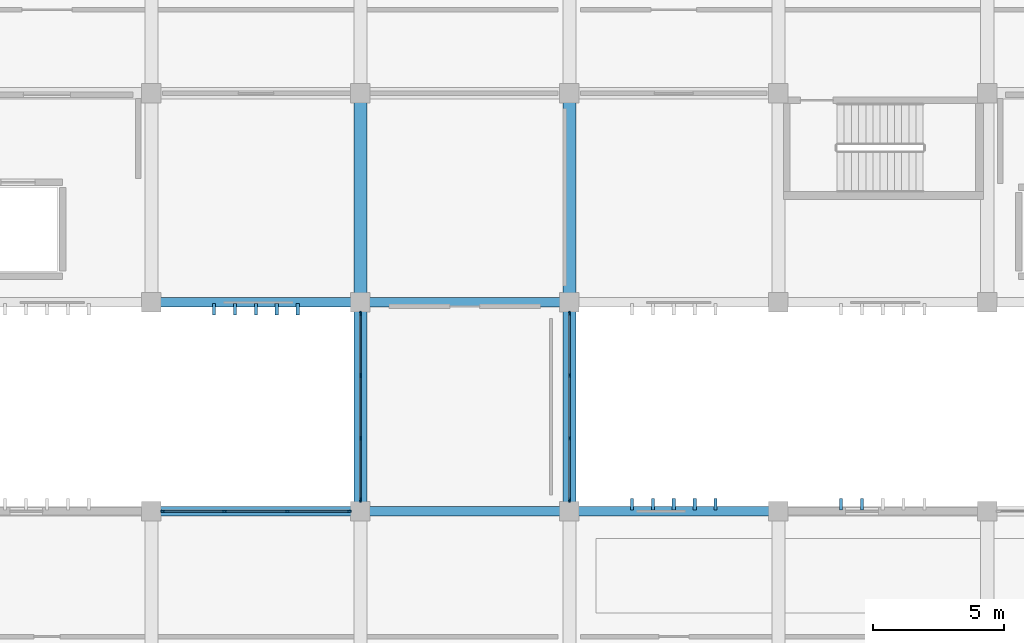
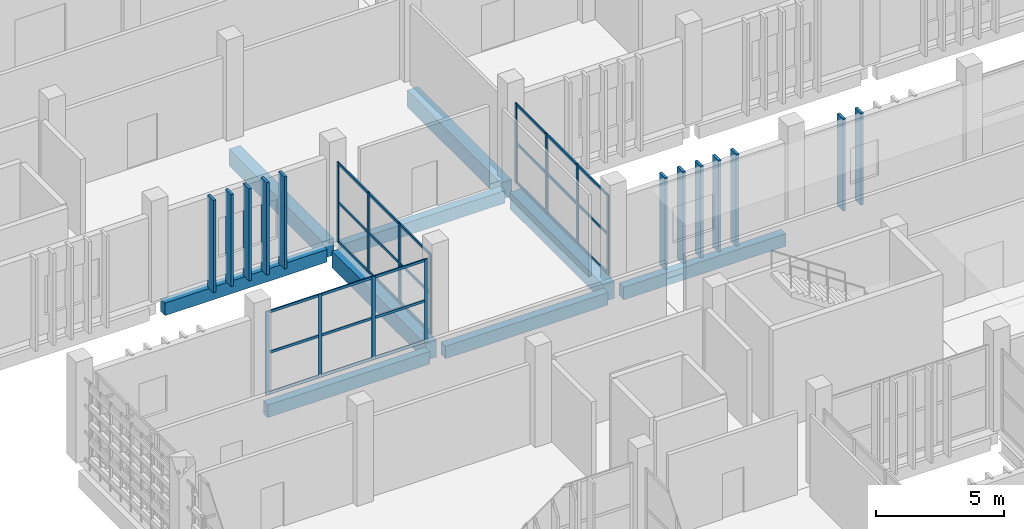
# One storey, part 64 of 117: 51 members, 9 beams, 3 elements without a shape of their own.
"""IFC4 building model written with IfcOpenShell, lengths in metres."""

from ifc_helpers import new_model, si_unit, direction, frame, origin, origin_2d, place, context, subcontext, project, spatial, rectangle, extrude, material, layer, layer_set, material_profile, profile_set, type_object, element, aggregate, save


model = new_model("IFC4")

# Units and contexts
model_context = context("Model", 3, precision=1e-05, world=origin(), true_north=direction((0.0, 1.0)))
body_context = subcontext(model_context, "Body", "Model", "MODEL_VIEW")
ifc_project = project(units=[si_unit("LENGTHUNIT", "METRE"), si_unit("AREAUNIT", "SQUARE_METRE"), si_unit("VOLUMEUNIT", "CUBIC_METRE"), si_unit("PLANEANGLEUNIT", "RADIAN"), si_unit("MASSUNIT", "GRAM", prefix="KILO")], contexts=[model_context])

# Site, building, storey
site_placement = place(None, origin())
site = spatial("IfcSite", under=ifc_project, at=site_placement, CompositionType="ELEMENT")
building_placement = place(site_placement, origin())
building = spatial("IfcBuilding", under=site, at=building_placement, Name="Jelvoka-Kovrelna Polytechnic", CompositionType="ELEMENT")
storey_placement = place(building_placement, origin())
storey = spatial("IfcBuildingStorey", under=building, at=storey_placement, Name="L01", CompositionType="ELEMENT", Elevation=0.0)

# Beams
ifc_material_1 = material(Name="Concrete C40/50", Category="concrete")
ifc_material_profile_1 = material_profile(ifc_material_1, rectangle(XDim=0.5, YDim=0.800048828125, at=origin_2d()), Name="RC 500x800")
ifc_profile_set_1 = profile_set([ifc_material_profile_1], Name="Concrete C40/50")
beam_type_1 = type_object("IfcBeamType", Name="Beam_RC_500x800", PredefinedType="BEAM", material=ifc_profile_set_1)
for number, where, z_axis, x_axis, name in (
    (1, (144.0, 56.35498046875, -0.804931640625), (0.0, 1.0, 0.0), (-1.0, 0.0, 0.0), "L01 beam 0509"),
    (2, (152.0, 56.35498046875, -0.804931640625), (0.0, 1.0, 0.0), (-1.0, 0.0, 0.0), "L01 beam 0511"),
    (3, (144.0, 48.35498046875, -0.804931640625), (0.0, 1.0, 0.0), (-1.0, 0.0, 0.0), "L01 beam 0544"),
    (4, (152.0, 48.35498046875, -0.804931640625), (0.0, 1.0, 0.0), (-1.0, 0.0, 0.0), "L01 beam 0545"),
):
    element("IfcBeam", number, at=place(storey_placement, frame(where, z_axis=z_axis, x_axis=x_axis)), inside=storey, type_object=beam_type_1, Name=name, PredefinedType="BEAM", context=body_context, shape_type="SweptSolid", body=[
        extrude(rectangle(XDim=0.5, YDim=0.800048828125, at=origin_2d()), origin(), (0.0, 0.0, 1.0), 7.2900390625),
    ])

# Members
ifc_material_2 = material(Name="Precast concrete C40/50", Category="concrete")
ifc_material_profile_2 = material_profile(ifc_material_2, rectangle(XDim=0.1201171875, YDim=0.449951171875, at=origin_2d()), Name="PC 120x450")
ifc_profile_set_2 = profile_set([ifc_material_profile_2], Name="Precast concrete C40/50")
member_type_1 = type_object("IfcMemberType", Name="Louvre_Fin_120x450", PredefinedType="USERDEFINED", material=ifc_profile_set_2)
for number, where, z_axis, x_axis, name in (
    (5, (154.39990234375, 48.264892578125, -0.419921875), (0.0, 0.0, 1.0), (1.0, 0.0, 0.0), "L01 B2E north vertical solar louvre fin 0886"),
    (6, (155.199951171875, 48.264892578125, -0.419921875), (0.0, 0.0, 1.0), (1.0, 0.0, 0.0), "L01 B2E north vertical solar louvre fin 0887"),
    (7, (156.0, 48.264892578125, -0.419921875), (0.0, 0.0, 1.0), (1.0, 0.0, 0.0), "L01 B2E north vertical solar louvre fin 0888"),
    (8, (156.800048828125, 48.264892578125, -0.419921875), (0.0, 0.0, 1.0), (1.0, 0.0, 0.0), "L01 B2E north vertical solar louvre fin 0889"),
    (9, (157.60009765625, 48.264892578125, -0.419921875), (0.0, 0.0, 1.0), (1.0, 0.0, 0.0), "L01 B2E north vertical solar louvre fin 0890"),
    (10, (162.39990234375, 48.264892578125, -0.419921875), (0.0, 0.0, 1.0), (1.0, 0.0, 0.0), "L01 B2E north vertical solar louvre fin 0891"),
    (11, (163.199951171875, 48.264892578125, -0.419921875), (0.0, 0.0, 1.0), (1.0, 0.0, 0.0), "L01 B2E north vertical solar louvre fin 0892"),
    (12, (138.39990234375, 55.735107421875, -0.419921875), (0.0, 0.0, 1.0), (1.0, 0.0, 0.0), "L01 B3 south vertical solar louvre fin 1271"),
    (13, (139.199951171875, 55.735107421875, -0.419921875), (0.0, 0.0, 1.0), (1.0, 0.0, 0.0), "L01 B3 south vertical solar louvre fin 1272"),
    (14, (140.0, 55.735107421875, -0.419921875), (0.0, 0.0, 1.0), (1.0, 0.0, 0.0), "L01 B3 south vertical solar louvre fin 1273"),
    (15, (140.800048828125, 55.735107421875, -0.419921875), (0.0, 0.0, 1.0), (1.0, 0.0, 0.0), "L01 B3 south vertical solar louvre fin 1274"),
    (16, (141.60009765625, 55.735107421875, -0.419921875), (0.0, 0.0, 1.0), (1.0, 0.0, 0.0), "L01 B3 south vertical solar louvre fin 1275"),
):
    element("IfcMember", number, at=place(storey_placement, frame(where, z_axis=z_axis, x_axis=x_axis)), inside=storey, type_object=member_type_1, Name=name, ObjectType="SUNSHADE", PredefinedType="USERDEFINED", context=body_context, shape_type="SweptSolid", body=[
        extrude(rectangle(XDim=0.1201171875, YDim=0.449951171875, at=origin_2d()), origin(), (0.0, 0.0, 1.0), 4.3798828125),
    ])

# Curtain wall, members
ifc_material_3 = material(Name="Anodised aluminium 6063-T6", Category="aluminium")
ifc_layer_1 = layer(ifc_material_3, 0.159912109375)
ifc_layer_set_1 = layer_set([ifc_layer_1], Name="Anodised aluminium 6063-T6")
curtain_wall_type_1 = type_object("IfcCurtainWallType", Name="CW_Recessed_A", PredefinedType="NOTDEFINED", material=ifc_layer_set_1)
curtain_wall_1_placement = place(storey_placement, origin())
curtain_wall_1 = element("IfcCurtainWall", 17, at=curtain_wall_1_placement, inside=storey, type_object=curtain_wall_type_1, Name="L01 glazed curtain wall 039", PredefinedType="NOTDEFINED")
ifc_material_4 = material(Name="Anodised aluminium 6063-T6", Category="aluminium")
ifc_material_profile_3 = material_profile(ifc_material_4, rectangle(XDim=0.06005859375, YDim=0.159912109375, at=origin_2d()), Name="ALU 60x160")
ifc_profile_set_3 = profile_set([ifc_material_profile_3], Name="Anodised aluminium 6063-T6")
member_type_2 = type_object("IfcMemberType", Name="Mullion_M-01", PredefinedType="MULLION", material=ifc_profile_set_3)
member_1_placement = place(storey_placement, frame((136.429931640625, 48.0, -0.02490234375), z_axis=(0.0, 0.0, 1.0), x_axis=(0.0, 1.0, 0.0)))
member_1 = element("IfcMember", 18, at=member_1_placement, type_object=member_type_2, Name="CW-01 mullion 1", PredefinedType="MULLION", context=body_context, shape_type="SweptSolid", body=[
    extrude(rectangle(XDim=0.06005859375, YDim=0.159912109375, at=origin_2d()), origin(), (0.0, 0.0, 1.0), 3.9599609375),
])
member_2_placement = place(storey_placement, frame((138.800048828125, 48.0, -0.02490234375), z_axis=(0.0, 0.0, 1.0), x_axis=(0.0, 1.0, 0.0)))
member_2 = element("IfcMember", 19, at=member_2_placement, type_object=member_type_2, Name="CW-01 mullion 2", PredefinedType="MULLION", context=body_context, shape_type="SweptSolid", body=[
    extrude(rectangle(XDim=0.06005859375, YDim=0.159912109375, at=origin_2d()), origin(), (0.0, 0.0, 1.0), 3.9599609375),
])
member_3_placement = place(storey_placement, frame((141.199951171875, 48.0, -0.02490234375), z_axis=(0.0, 0.0, 1.0), x_axis=(0.0, 1.0, 0.0)))
member_3 = element("IfcMember", 20, at=member_3_placement, type_object=member_type_2, Name="CW-01 mullion 3", PredefinedType="MULLION", context=body_context, shape_type="SweptSolid", body=[
    extrude(rectangle(XDim=0.06005859375, YDim=0.159912109375, at=origin_2d()), origin(), (0.0, 0.0, 1.0), 3.9599609375),
])
member_4_placement = place(storey_placement, frame((143.570068359375, 48.0, -0.02490234375), z_axis=(0.0, 0.0, 1.0), x_axis=(0.0, 1.0, 0.0)))
member_4 = element("IfcMember", 21, at=member_4_placement, type_object=member_type_2, Name="CW-01 mullion 4", PredefinedType="MULLION", context=body_context, shape_type="SweptSolid", body=[
    extrude(rectangle(XDim=0.06005859375, YDim=0.159912109375, at=origin_2d()), origin(), (0.0, 0.0, 1.0), 3.9599609375),
])

ifc_material_5 = material(Name="Anodised aluminium 6063-T6", Category="aluminium")
ifc_layer_2 = layer(ifc_material_5, 0.159912109375)
ifc_layer_set_2 = layer_set([ifc_layer_2], Name="Anodised aluminium 6063-T6")
curtain_wall_type_2 = type_object("IfcCurtainWallType", Name="CW_LinkBridge", PredefinedType="NOTDEFINED", material=ifc_layer_set_2)
curtain_wall_2_placement = place(storey_placement, origin())
curtain_wall_2 = element("IfcCurtainWall", 22, at=curtain_wall_2_placement, inside=storey, type_object=curtain_wall_type_2, Name="L01 glazed curtain wall 100", PredefinedType="NOTDEFINED")
ifc_material_6 = material(Name="Anodised aluminium 6063-T6", Category="aluminium")
ifc_material_profile_4 = material_profile(ifc_material_6, rectangle(XDim=0.06005859375, YDim=0.159912109375, at=origin_2d()), Name="ALU 60x160")
ifc_profile_set_4 = profile_set([ifc_material_profile_4], Name="Anodised aluminium 6063-T6")
member_type_3 = type_object("IfcMemberType", Name="Mullion_M-04", PredefinedType="MULLION", material=ifc_profile_set_4)
member_5_placement = place(storey_placement, frame((144.0, 48.429931640625, -0.02490234375), z_axis=(0.0, 0.0, 1.0), x_axis=(-1.0, 0.0, 0.0)))
member_5 = element("IfcMember", 23, at=member_5_placement, type_object=member_type_3, Name="CW-04 mullion 1", PredefinedType="MULLION", context=body_context, shape_type="SweptSolid", body=[
    extrude(rectangle(XDim=0.06005859375, YDim=0.159912109375, at=origin_2d()), origin(), (0.0, 0.0, 1.0), 3.81005859375),
])
member_6_placement = place(storey_placement, frame((144.0, 50.800048828125, -0.02490234375), z_axis=(0.0, 0.0, 1.0), x_axis=(-1.0, 0.0, 0.0)))
member_6 = element("IfcMember", 24, at=member_6_placement, type_object=member_type_3, Name="CW-04 mullion 2", PredefinedType="MULLION", context=body_context, shape_type="SweptSolid", body=[
    extrude(rectangle(XDim=0.06005859375, YDim=0.159912109375, at=origin_2d()), origin(), (0.0, 0.0, 1.0), 3.81005859375),
])
member_7_placement = place(storey_placement, frame((144.0, 53.199951171875, -0.02490234375), z_axis=(0.0, 0.0, 1.0), x_axis=(-1.0, 0.0, 0.0)))
member_7 = element("IfcMember", 25, at=member_7_placement, type_object=member_type_3, Name="CW-04 mullion 3", PredefinedType="MULLION", context=body_context, shape_type="SweptSolid", body=[
    extrude(rectangle(XDim=0.06005859375, YDim=0.159912109375, at=origin_2d()), origin(), (0.0, 0.0, 1.0), 3.81005859375),
])
member_8_placement = place(storey_placement, frame((144.0, 55.570068359375, -0.02490234375), z_axis=(0.0, 0.0, 1.0), x_axis=(-1.0, 0.0, 0.0)))
member_8 = element("IfcMember", 26, at=member_8_placement, type_object=member_type_3, Name="CW-04 mullion 4", PredefinedType="MULLION", context=body_context, shape_type="SweptSolid", body=[
    extrude(rectangle(XDim=0.06005859375, YDim=0.159912109375, at=origin_2d()), origin(), (0.0, 0.0, 1.0), 3.81005859375),
])

curtain_wall_3_placement = place(storey_placement, origin())
curtain_wall_3 = element("IfcCurtainWall", 27, at=curtain_wall_3_placement, inside=storey, type_object=curtain_wall_type_2, Name="L01 glazed curtain wall 101", PredefinedType="NOTDEFINED")
member_9_placement = place(storey_placement, frame((152.0, 55.570068359375, -0.02490234375), z_axis=(0.0, 0.0, 1.0), x_axis=(1.0, 0.0, 0.0)))
member_9 = element("IfcMember", 28, at=member_9_placement, type_object=member_type_3, Name="CW-04 mullion 1", PredefinedType="MULLION", context=body_context, shape_type="SweptSolid", body=[
    extrude(rectangle(XDim=0.06005859375, YDim=0.159912109375, at=origin_2d()), origin(), (0.0, 0.0, 1.0), 3.81005859375),
])
member_10_placement = place(storey_placement, frame((152.0, 53.199951171875, -0.02490234375), z_axis=(0.0, 0.0, 1.0), x_axis=(1.0, 0.0, 0.0)))
member_10 = element("IfcMember", 29, at=member_10_placement, type_object=member_type_3, Name="CW-04 mullion 2", PredefinedType="MULLION", context=body_context, shape_type="SweptSolid", body=[
    extrude(rectangle(XDim=0.06005859375, YDim=0.159912109375, at=origin_2d()), origin(), (0.0, 0.0, 1.0), 3.81005859375),
])
member_11_placement = place(storey_placement, frame((152.0, 50.800048828125, -0.02490234375), z_axis=(0.0, 0.0, 1.0), x_axis=(1.0, 0.0, 0.0)))
member_11 = element("IfcMember", 30, at=member_11_placement, type_object=member_type_3, Name="CW-04 mullion 3", PredefinedType="MULLION", context=body_context, shape_type="SweptSolid", body=[
    extrude(rectangle(XDim=0.06005859375, YDim=0.159912109375, at=origin_2d()), origin(), (0.0, 0.0, 1.0), 3.81005859375),
])
member_12_placement = place(storey_placement, frame((152.0, 48.429931640625, -0.02490234375), z_axis=(0.0, 0.0, 1.0), x_axis=(1.0, 0.0, 0.0)))
member_12 = element("IfcMember", 31, at=member_12_placement, type_object=member_type_3, Name="CW-04 mullion 4", PredefinedType="MULLION", context=body_context, shape_type="SweptSolid", body=[
    extrude(rectangle(XDim=0.06005859375, YDim=0.159912109375, at=origin_2d()), origin(), (0.0, 0.0, 1.0), 3.81005859375),
])

# Beams
ifc_material_7 = material(Name="Concrete C40/50", Category="concrete")
ifc_material_profile_5 = material_profile(ifc_material_7, rectangle(XDim=0.35009765625, YDim=0.60009765625, at=origin_2d()), Name="RC 350x600")
ifc_profile_set_5 = profile_set([ifc_material_profile_5], Name="Concrete C40/50")
beam_type_2 = type_object("IfcBeamType", Name="Spandrel_RC_350x600", PredefinedType="SPANDREL", material=ifc_profile_set_5)
for number, where, z_axis, x_axis, name in (
    (32, (136.35498046875, 48.0, -0.705078125), (1.0, 0.0, 0.0), (0.0, 1.0, 0.0), "L01 beam 0415"),
    (33, (144.35498046875, 48.0, -0.705078125), (1.0, 0.0, 0.0), (0.0, 1.0, 0.0), "L01 beam 0416"),
    (34, (152.35498046875, 48.0, -0.705078125), (1.0, 0.0, 0.0), (0.0, 1.0, 0.0), "L01 beam 0417"),
    (35, (136.35498046875, 56.0, -0.705078125), (1.0, 0.0, 0.0), (0.0, 1.0, 0.0), "L01 beam 0478"),
    (36, (144.35498046875, 56.0, -0.705078125), (1.0, 0.0, 0.0), (0.0, 1.0, 0.0), "L01 beam 0479"),
):
    element("IfcBeam", number, at=place(storey_placement, frame(where, z_axis=z_axis, x_axis=x_axis)), inside=storey, type_object=beam_type_2, Name=name, PredefinedType="SPANDREL", context=body_context, shape_type="SweptSolid", body=[
        extrude(rectangle(XDim=0.35009765625, YDim=0.60009765625, at=origin_2d()), origin(), (0.0, 0.0, 1.0), 7.2900390625),
    ])

# Member
ifc_material_8 = material(Name="Anodised aluminium 6063-T6", Category="aluminium")
ifc_material_profile_6 = material_profile(ifc_material_8, rectangle(XDim=0.06005859375, YDim=0.1201171875, at=origin_2d()), Name="ALU 60x120")
ifc_profile_set_6 = profile_set([ifc_material_profile_6], Name="Anodised aluminium 6063-T6")
member_type_4 = type_object("IfcMemberType", Name="Transom_T-01", PredefinedType="USERDEFINED", material=ifc_profile_set_6)
member_13_placement = place(storey_placement, frame((136.4599609375, 48.0, 0.030029296875), z_axis=(1.0, 0.0, 0.0), x_axis=(0.0, 1.0, 0.0)))
member_13 = element("IfcMember", 37, at=member_13_placement, type_object=member_type_4, Name="CW-01 transom 1.1", ObjectType="TRANSOM", PredefinedType="USERDEFINED", context=body_context, shape_type="SweptSolid", body=[
    extrude(rectangle(XDim=0.06005859375, YDim=0.1201171875, at=origin_2d()), origin(), (0.0, 0.0, 1.0), 2.31005859375),
])

member_14_placement = place(storey_placement, frame((136.4599609375, 48.0, 1.955078125), z_axis=(1.0, 0.0, 0.0), x_axis=(0.0, 1.0, 0.0)))
member_14 = element("IfcMember", 38, at=member_14_placement, type_object=member_type_4, Name="CW-01 transom 1.2", ObjectType="TRANSOM", PredefinedType="USERDEFINED", context=body_context, shape_type="SweptSolid", body=[
    extrude(rectangle(XDim=0.06005859375, YDim=0.1201171875, at=origin_2d()), origin(), (0.0, 0.0, 1.0), 2.31005859375),
])

member_15_placement = place(storey_placement, frame((136.4599609375, 48.0, 3.8798828125), z_axis=(1.0, 0.0, 0.0), x_axis=(0.0, 1.0, 0.0)))
member_15 = element("IfcMember", 39, at=member_15_placement, type_object=member_type_4, Name="CW-01 transom 1.3", ObjectType="TRANSOM", PredefinedType="USERDEFINED", context=body_context, shape_type="SweptSolid", body=[
    extrude(rectangle(XDim=0.06005859375, YDim=0.1201171875, at=origin_2d()), origin(), (0.0, 0.0, 1.0), 2.31005859375),
])

member_16_placement = place(storey_placement, frame((138.830078125, 48.0, 0.030029296875), z_axis=(1.0, 0.0, 0.0), x_axis=(0.0, 1.0, 0.0)))
member_16 = element("IfcMember", 40, at=member_16_placement, type_object=member_type_4, Name="CW-01 transom 2.1", ObjectType="TRANSOM", PredefinedType="USERDEFINED", context=body_context, shape_type="SweptSolid", body=[
    extrude(rectangle(XDim=0.06005859375, YDim=0.1201171875, at=origin_2d()), origin(), (0.0, 0.0, 1.0), 2.33984375),
])

member_17_placement = place(storey_placement, frame((138.830078125, 48.0, 1.955078125), z_axis=(1.0, 0.0, 0.0), x_axis=(0.0, 1.0, 0.0)))
member_17 = element("IfcMember", 41, at=member_17_placement, type_object=member_type_4, Name="CW-01 transom 2.2", ObjectType="TRANSOM", PredefinedType="USERDEFINED", context=body_context, shape_type="SweptSolid", body=[
    extrude(rectangle(XDim=0.06005859375, YDim=0.1201171875, at=origin_2d()), origin(), (0.0, 0.0, 1.0), 2.33984375),
])

member_18_placement = place(storey_placement, frame((138.830078125, 48.0, 3.8798828125), z_axis=(1.0, 0.0, 0.0), x_axis=(0.0, 1.0, 0.0)))
member_18 = element("IfcMember", 42, at=member_18_placement, type_object=member_type_4, Name="CW-01 transom 2.3", ObjectType="TRANSOM", PredefinedType="USERDEFINED", context=body_context, shape_type="SweptSolid", body=[
    extrude(rectangle(XDim=0.06005859375, YDim=0.1201171875, at=origin_2d()), origin(), (0.0, 0.0, 1.0), 2.33984375),
])

member_19_placement = place(storey_placement, frame((141.22998046875, 48.0, 0.030029296875), z_axis=(1.0, 0.0, 0.0), x_axis=(0.0, 1.0, 0.0)))
member_19 = element("IfcMember", 43, at=member_19_placement, type_object=member_type_4, Name="CW-01 transom 3.1", ObjectType="TRANSOM", PredefinedType="USERDEFINED", context=body_context, shape_type="SweptSolid", body=[
    extrude(rectangle(XDim=0.06005859375, YDim=0.1201171875, at=origin_2d()), origin(), (0.0, 0.0, 1.0), 2.31005859375),
])

member_20_placement = place(storey_placement, frame((141.22998046875, 48.0, 1.955078125), z_axis=(1.0, 0.0, 0.0), x_axis=(0.0, 1.0, 0.0)))
member_20 = element("IfcMember", 44, at=member_20_placement, type_object=member_type_4, Name="CW-01 transom 3.2", ObjectType="TRANSOM", PredefinedType="USERDEFINED", context=body_context, shape_type="SweptSolid", body=[
    extrude(rectangle(XDim=0.06005859375, YDim=0.1201171875, at=origin_2d()), origin(), (0.0, 0.0, 1.0), 2.31005859375),
])

member_21_placement = place(storey_placement, frame((141.22998046875, 48.0, 3.8798828125), z_axis=(1.0, 0.0, 0.0), x_axis=(0.0, 1.0, 0.0)))
member_21 = element("IfcMember", 45, at=member_21_placement, type_object=member_type_4, Name="CW-01 transom 3.3", ObjectType="TRANSOM", PredefinedType="USERDEFINED", context=body_context, shape_type="SweptSolid", body=[
    extrude(rectangle(XDim=0.06005859375, YDim=0.1201171875, at=origin_2d()), origin(), (0.0, 0.0, 1.0), 2.31005859375),
])

aggregate(curtain_wall_1, [member_1, member_2, member_3, member_4, member_13, member_14, member_15, member_16, member_17, member_18, member_19, member_20, member_21])

ifc_material_9 = material(Name="Anodised aluminium 6063-T6", Category="aluminium")
ifc_material_profile_7 = material_profile(ifc_material_9, rectangle(XDim=0.06005859375, YDim=0.1201171875, at=origin_2d()), Name="ALU 60x120")
ifc_profile_set_7 = profile_set([ifc_material_profile_7], Name="Anodised aluminium 6063-T6")
member_type_5 = type_object("IfcMemberType", Name="Transom_T-04", PredefinedType="USERDEFINED", material=ifc_profile_set_7)
member_22_placement = place(storey_placement, frame((144.0, 48.4599609375, 0.030029296875), z_axis=(0.0, 1.0, 0.0), x_axis=(-1.0, 0.0, 0.0)))
member_22 = element("IfcMember", 46, at=member_22_placement, type_object=member_type_5, Name="CW-04 transom 1.1", ObjectType="TRANSOM", PredefinedType="USERDEFINED", context=body_context, shape_type="SweptSolid", body=[
    extrude(rectangle(XDim=0.06005859375, YDim=0.1201171875, at=origin_2d()), origin(), (0.0, 0.0, 1.0), 2.31005859375),
])

member_23_placement = place(storey_placement, frame((144.0, 48.4599609375, 1.8798828125), z_axis=(0.0, 1.0, 0.0), x_axis=(-1.0, 0.0, 0.0)))
member_23 = element("IfcMember", 47, at=member_23_placement, type_object=member_type_5, Name="CW-04 transom 1.2", ObjectType="TRANSOM", PredefinedType="USERDEFINED", context=body_context, shape_type="SweptSolid", body=[
    extrude(rectangle(XDim=0.06005859375, YDim=0.1201171875, at=origin_2d()), origin(), (0.0, 0.0, 1.0), 2.31005859375),
])

member_24_placement = place(storey_placement, frame((144.0, 48.4599609375, 3.72998046875), z_axis=(0.0, 1.0, 0.0), x_axis=(-1.0, 0.0, 0.0)))
member_24 = element("IfcMember", 48, at=member_24_placement, type_object=member_type_5, Name="CW-04 transom 1.3", ObjectType="TRANSOM", PredefinedType="USERDEFINED", context=body_context, shape_type="SweptSolid", body=[
    extrude(rectangle(XDim=0.06005859375, YDim=0.1201171875, at=origin_2d()), origin(), (0.0, 0.0, 1.0), 2.31005859375),
])

member_25_placement = place(storey_placement, frame((144.0, 50.830078125, 0.030029296875), z_axis=(0.0, 1.0, 0.0), x_axis=(-1.0, 0.0, 0.0)))
member_25 = element("IfcMember", 49, at=member_25_placement, type_object=member_type_5, Name="CW-04 transom 2.1", ObjectType="TRANSOM", PredefinedType="USERDEFINED", context=body_context, shape_type="SweptSolid", body=[
    extrude(rectangle(XDim=0.06005859375, YDim=0.1201171875, at=origin_2d()), origin(), (0.0, 0.0, 1.0), 2.33984375),
])

member_26_placement = place(storey_placement, frame((144.0, 50.830078125, 1.8798828125), z_axis=(0.0, 1.0, 0.0), x_axis=(-1.0, 0.0, 0.0)))
member_26 = element("IfcMember", 50, at=member_26_placement, type_object=member_type_5, Name="CW-04 transom 2.2", ObjectType="TRANSOM", PredefinedType="USERDEFINED", context=body_context, shape_type="SweptSolid", body=[
    extrude(rectangle(XDim=0.06005859375, YDim=0.1201171875, at=origin_2d()), origin(), (0.0, 0.0, 1.0), 2.33984375),
])

member_27_placement = place(storey_placement, frame((144.0, 50.830078125, 3.72998046875), z_axis=(0.0, 1.0, 0.0), x_axis=(-1.0, 0.0, 0.0)))
member_27 = element("IfcMember", 51, at=member_27_placement, type_object=member_type_5, Name="CW-04 transom 2.3", ObjectType="TRANSOM", PredefinedType="USERDEFINED", context=body_context, shape_type="SweptSolid", body=[
    extrude(rectangle(XDim=0.06005859375, YDim=0.1201171875, at=origin_2d()), origin(), (0.0, 0.0, 1.0), 2.33984375),
])

member_28_placement = place(storey_placement, frame((144.0, 53.22998046875, 0.030029296875), z_axis=(0.0, 1.0, 0.0), x_axis=(-1.0, 0.0, 0.0)))
member_28 = element("IfcMember", 52, at=member_28_placement, type_object=member_type_5, Name="CW-04 transom 3.1", ObjectType="TRANSOM", PredefinedType="USERDEFINED", context=body_context, shape_type="SweptSolid", body=[
    extrude(rectangle(XDim=0.06005859375, YDim=0.1201171875, at=origin_2d()), origin(), (0.0, 0.0, 1.0), 2.31005859375),
])

member_29_placement = place(storey_placement, frame((144.0, 53.22998046875, 1.8798828125), z_axis=(0.0, 1.0, 0.0), x_axis=(-1.0, 0.0, 0.0)))
member_29 = element("IfcMember", 53, at=member_29_placement, type_object=member_type_5, Name="CW-04 transom 3.2", ObjectType="TRANSOM", PredefinedType="USERDEFINED", context=body_context, shape_type="SweptSolid", body=[
    extrude(rectangle(XDim=0.06005859375, YDim=0.1201171875, at=origin_2d()), origin(), (0.0, 0.0, 1.0), 2.31005859375),
])

member_30_placement = place(storey_placement, frame((144.0, 53.22998046875, 3.72998046875), z_axis=(0.0, 1.0, 0.0), x_axis=(-1.0, 0.0, 0.0)))
member_30 = element("IfcMember", 54, at=member_30_placement, type_object=member_type_5, Name="CW-04 transom 3.3", ObjectType="TRANSOM", PredefinedType="USERDEFINED", context=body_context, shape_type="SweptSolid", body=[
    extrude(rectangle(XDim=0.06005859375, YDim=0.1201171875, at=origin_2d()), origin(), (0.0, 0.0, 1.0), 2.31005859375),
])

aggregate(curtain_wall_2, [member_5, member_6, member_7, member_8, member_22, member_23, member_24, member_25, member_26, member_27, member_28, member_29, member_30])

member_31_placement = place(storey_placement, frame((152.0, 55.5400390625, 0.030029296875), z_axis=(0.0, -1.0, 0.0), x_axis=(1.0, 0.0, 0.0)))
member_31 = element("IfcMember", 55, at=member_31_placement, type_object=member_type_5, Name="CW-04 transom 1.1", ObjectType="TRANSOM", PredefinedType="USERDEFINED", context=body_context, shape_type="SweptSolid", body=[
    extrude(rectangle(XDim=0.06005859375, YDim=0.1201171875, at=origin_2d()), origin(), (0.0, 0.0, 1.0), 2.31005859375),
])

member_32_placement = place(storey_placement, frame((152.0, 55.5400390625, 1.8798828125), z_axis=(0.0, -1.0, 0.0), x_axis=(1.0, 0.0, 0.0)))
member_32 = element("IfcMember", 56, at=member_32_placement, type_object=member_type_5, Name="CW-04 transom 1.2", ObjectType="TRANSOM", PredefinedType="USERDEFINED", context=body_context, shape_type="SweptSolid", body=[
    extrude(rectangle(XDim=0.06005859375, YDim=0.1201171875, at=origin_2d()), origin(), (0.0, 0.0, 1.0), 2.31005859375),
])

member_33_placement = place(storey_placement, frame((152.0, 55.5400390625, 3.72998046875), z_axis=(0.0, -1.0, 0.0), x_axis=(1.0, 0.0, 0.0)))
member_33 = element("IfcMember", 57, at=member_33_placement, type_object=member_type_5, Name="CW-04 transom 1.3", ObjectType="TRANSOM", PredefinedType="USERDEFINED", context=body_context, shape_type="SweptSolid", body=[
    extrude(rectangle(XDim=0.06005859375, YDim=0.1201171875, at=origin_2d()), origin(), (0.0, 0.0, 1.0), 2.31005859375),
])

member_34_placement = place(storey_placement, frame((152.0, 53.169921875, 0.030029296875), z_axis=(0.0, -1.0, 0.0), x_axis=(1.0, 0.0, 0.0)))
member_34 = element("IfcMember", 58, at=member_34_placement, type_object=member_type_5, Name="CW-04 transom 2.1", ObjectType="TRANSOM", PredefinedType="USERDEFINED", context=body_context, shape_type="SweptSolid", body=[
    extrude(rectangle(XDim=0.06005859375, YDim=0.1201171875, at=origin_2d()), origin(), (0.0, 0.0, 1.0), 2.33984375),
])

member_35_placement = place(storey_placement, frame((152.0, 53.169921875, 1.8798828125), z_axis=(0.0, -1.0, 0.0), x_axis=(1.0, 0.0, 0.0)))
member_35 = element("IfcMember", 59, at=member_35_placement, type_object=member_type_5, Name="CW-04 transom 2.2", ObjectType="TRANSOM", PredefinedType="USERDEFINED", context=body_context, shape_type="SweptSolid", body=[
    extrude(rectangle(XDim=0.06005859375, YDim=0.1201171875, at=origin_2d()), origin(), (0.0, 0.0, 1.0), 2.33984375),
])

member_36_placement = place(storey_placement, frame((152.0, 53.169921875, 3.72998046875), z_axis=(0.0, -1.0, 0.0), x_axis=(1.0, 0.0, 0.0)))
member_36 = element("IfcMember", 60, at=member_36_placement, type_object=member_type_5, Name="CW-04 transom 2.3", ObjectType="TRANSOM", PredefinedType="USERDEFINED", context=body_context, shape_type="SweptSolid", body=[
    extrude(rectangle(XDim=0.06005859375, YDim=0.1201171875, at=origin_2d()), origin(), (0.0, 0.0, 1.0), 2.33984375),
])

member_37_placement = place(storey_placement, frame((152.0, 50.77001953125, 0.030029296875), z_axis=(0.0, -1.0, 0.0), x_axis=(1.0, 0.0, 0.0)))
member_37 = element("IfcMember", 61, at=member_37_placement, type_object=member_type_5, Name="CW-04 transom 3.1", ObjectType="TRANSOM", PredefinedType="USERDEFINED", context=body_context, shape_type="SweptSolid", body=[
    extrude(rectangle(XDim=0.06005859375, YDim=0.1201171875, at=origin_2d()), origin(), (0.0, 0.0, 1.0), 2.31005859375),
])

member_38_placement = place(storey_placement, frame((152.0, 50.77001953125, 1.8798828125), z_axis=(0.0, -1.0, 0.0), x_axis=(1.0, 0.0, 0.0)))
member_38 = element("IfcMember", 62, at=member_38_placement, type_object=member_type_5, Name="CW-04 transom 3.2", ObjectType="TRANSOM", PredefinedType="USERDEFINED", context=body_context, shape_type="SweptSolid", body=[
    extrude(rectangle(XDim=0.06005859375, YDim=0.1201171875, at=origin_2d()), origin(), (0.0, 0.0, 1.0), 2.31005859375),
])

member_39_placement = place(storey_placement, frame((152.0, 50.77001953125, 3.72998046875), z_axis=(0.0, -1.0, 0.0), x_axis=(1.0, 0.0, 0.0)))
member_39 = element("IfcMember", 63, at=member_39_placement, type_object=member_type_5, Name="CW-04 transom 3.3", ObjectType="TRANSOM", PredefinedType="USERDEFINED", context=body_context, shape_type="SweptSolid", body=[
    extrude(rectangle(XDim=0.06005859375, YDim=0.1201171875, at=origin_2d()), origin(), (0.0, 0.0, 1.0), 2.31005859375),
])

aggregate(curtain_wall_3, [member_9, member_10, member_11, member_12, member_31, member_32, member_33, member_34, member_35, member_36, member_37, member_38, member_39])

save(model, "model.ifc")
